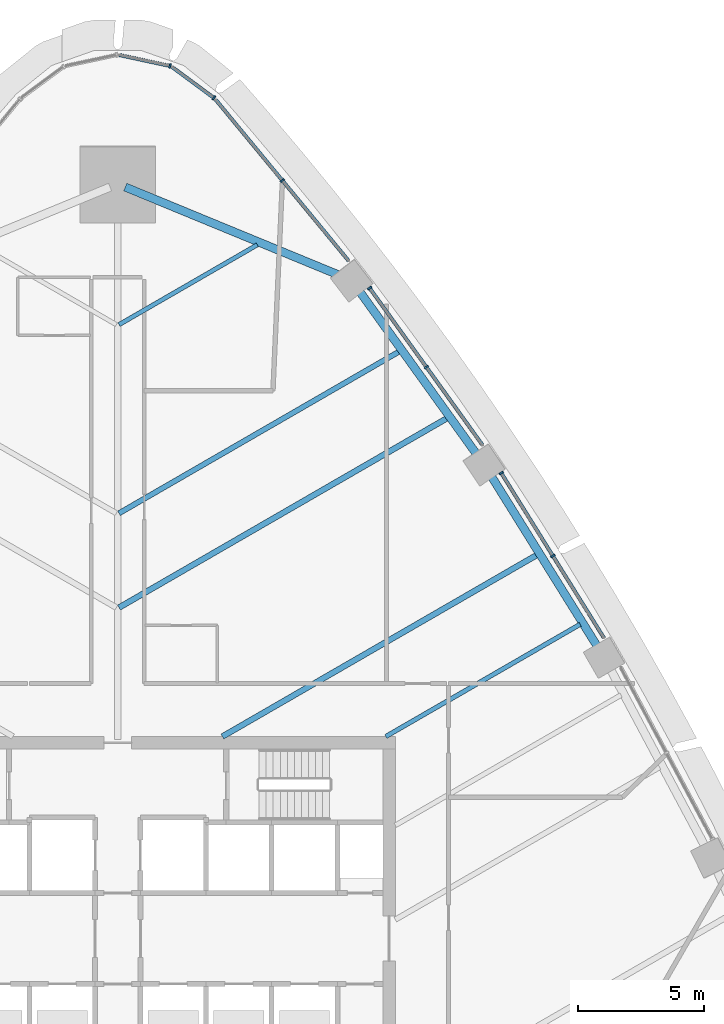
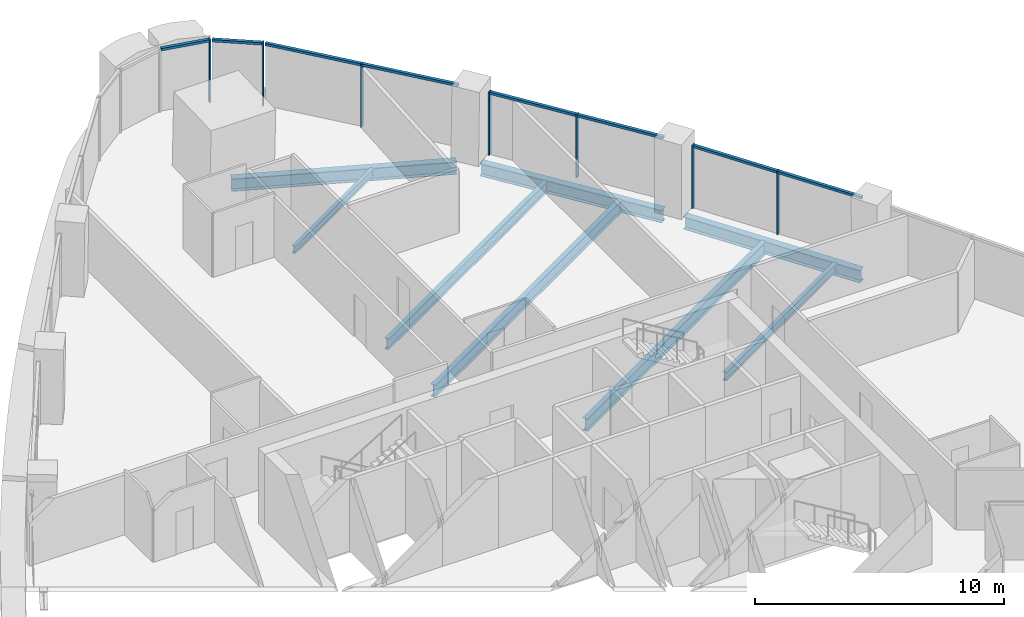
# One storey, part 7 of 17: 15 members, 8 beams, 5 elements without a shape of their own.
"""IFC4 building model written with IfcOpenShell, lengths in metres."""

from ifc_helpers import new_model, si_unit, direction, frame, origin, origin_2d, place, context, subcontext, project, spatial, rectangle, i_section, extrude, material, layer, layer_set, material_profile, profile_set, type_object, element, aggregate, save


model = new_model("IFC4")

# Units and contexts
model_context = context("Model", 3, precision=1e-05, world=origin(), true_north=direction((0.0, 1.0)))
body_context = subcontext(model_context, "Body", "Model", "MODEL_VIEW")
ifc_project = project(units=[si_unit("LENGTHUNIT", "METRE"), si_unit("AREAUNIT", "SQUARE_METRE"), si_unit("VOLUMEUNIT", "CUBIC_METRE"), si_unit("PLANEANGLEUNIT", "RADIAN"), si_unit("MASSUNIT", "GRAM", prefix="KILO")], contexts=[model_context])

# Site, building, storey
site_placement = place(None, origin())
site = spatial("IfcSite", under=ifc_project, at=site_placement, CompositionType="ELEMENT")
building_placement = place(site_placement, origin())
building = spatial("IfcBuilding", under=site, at=building_placement, Name="Sierra Prisma Convention Tower", CompositionType="ELEMENT")
storey_placement = place(building_placement, frame((0.0, 0.0, 92.39990234375)))
storey = spatial("IfcBuildingStorey", under=building, at=storey_placement, Name="L19", CompositionType="ELEMENT", Elevation=92.39990234375)

# Curtain wall, members
ifc_material_1 = material(Name="Aluminium and glass curtain wall", Category="aluminium")
ifc_layer = layer(ifc_material_1, 0.179931640625)
ifc_layer_set = layer_set([ifc_layer], Name="CW-1 Plain shaft curtain wall")
curtain_wall_type = type_object("IfcCurtainWallType", Name="CW-1 Plain shaft curtain wall", PredefinedType="NOTDEFINED", material=ifc_layer_set)
curtain_wall_1_placement = place(storey_placement, origin())
curtain_wall_1 = element("IfcCurtainWall", 1, at=curtain_wall_1_placement, inside=storey, type_object=curtain_wall_type, Name="CW-1 NE4 L19", PredefinedType="NOTDEFINED")
ifc_material_2 = material(Name="Aluminium 6063-T6 bronze anodised", Category="aluminium")
ifc_material_profile_1 = material_profile(ifc_material_2, rectangle(XDim=0.179931640625, YDim=0.070068359375, at=origin_2d()), Name="ALU MULLION 70x180")
ifc_profile_set_1 = profile_set([ifc_material_profile_1], Name="Aluminium 6063-T6 bronze anodised")
member_type_1 = type_object("IfcMemberType", Name="CW mullion bronze", PredefinedType="MULLION", material=ifc_profile_set_1)
member_1_placement = place(storey_placement, frame((17.239013671875, 15.153076171875, 0.0), z_axis=(0.0, 0.0, 1.0), x_axis=(-0.84893155366, -0.528502807183, 0.0)))
member_1 = element("IfcMember", 2, at=member_1_placement, type_object=member_type_1, Name="CW-1 mullion NE4.2", PredefinedType="MULLION", context=body_context, shape_type="SweptSolid", body=[
    extrude(rectangle(XDim=0.179931640625, YDim=0.070068359375, at=origin_2d()), origin(), (0.0, 0.0, 1.0), 3.10009765625),
])
member_2_placement = place(storey_placement, frame((15.193115234375, 18.439208984375, 0.0), z_axis=(0.0, 0.0, 1.0), x_axis=(-0.84893155366, -0.528502807183, 0.0)))
member_2 = element("IfcMember", 3, at=member_2_placement, type_object=member_type_1, Name="CW-1 mullion NE4.3", PredefinedType="MULLION", context=body_context, shape_type="SweptSolid", body=[
    extrude(rectangle(XDim=0.179931640625, YDim=0.070068359375, at=origin_2d()), origin(), (0.0, 0.0, 1.0), 3.10009765625),
])

curtain_wall_2_placement = place(storey_placement, origin())
curtain_wall_2 = element("IfcCurtainWall", 4, at=curtain_wall_2_placement, inside=storey, type_object=curtain_wall_type, Name="CW-1 NE5 L19", PredefinedType="NOTDEFINED")
member_3_placement = place(storey_placement, frame((12.229736328125, 22.63525390625, 0.0), z_axis=(0.0, 0.0, 1.0), x_axis=(-0.811950557118, -0.583726213902, 0.0)))
member_3 = element("IfcMember", 5, at=member_3_placement, type_object=member_type_1, Name="CW-1 mullion NE5.2", PredefinedType="MULLION", context=body_context, shape_type="SweptSolid", body=[
    extrude(rectangle(XDim=0.179931640625, YDim=0.070068359375, at=origin_2d()), origin(), (0.0, 0.0, 1.0), 3.10009765625),
])
member_4_placement = place(storey_placement, frame((9.97900390625, 25.765625, 0.0), z_axis=(0.0, 0.0, 1.0), x_axis=(-0.811950557118, -0.583726213902, 0.0)))
member_4 = element("IfcMember", 6, at=member_4_placement, type_object=member_type_1, Name="CW-1 mullion NE5.3", PredefinedType="MULLION", context=body_context, shape_type="SweptSolid", body=[
    extrude(rectangle(XDim=0.179931640625, YDim=0.070068359375, at=origin_2d()), origin(), (0.0, 0.0, 1.0), 3.10009765625),
])

# Curtain wall, member
curtain_wall_3_placement = place(storey_placement, origin())
curtain_wall_3 = element("IfcCurtainWall", 7, at=curtain_wall_3_placement, inside=storey, type_object=curtain_wall_type, Name="CW-1 NE6 L19", PredefinedType="NOTDEFINED")
member_5_placement = place(storey_placement, frame((6.520751953125, 30.028564453125, 0.0), z_axis=(0.0, 0.0, 1.0), x_axis=(-0.771382997346, -0.636371174241, 0.0)))
member_5 = element("IfcMember", 8, at=member_5_placement, type_object=member_type_1, Name="CW-1 mullion NE6.2", PredefinedType="MULLION", context=body_context, shape_type="SweptSolid", body=[
    extrude(rectangle(XDim=0.179931640625, YDim=0.070068359375, at=origin_2d()), origin(), (0.0, 0.0, 1.0), 3.10009765625),
])

curtain_wall_4_placement = place(storey_placement, origin())
curtain_wall_4 = element("IfcCurtainWall", 9, at=curtain_wall_4_placement, inside=storey, type_object=curtain_wall_type, Name="CW-1 N1 L19", PredefinedType="NOTDEFINED")
member_6_placement = place(storey_placement, frame((3.81201171875, 33.298828125, 0.0), z_axis=(0.0, 0.0, 1.0), x_axis=(-0.593846135826, -0.804578626963, 0.0)))
member_6 = element("IfcMember", 10, at=member_6_placement, type_object=member_type_1, Name="CW-1 mullion N1.1", PredefinedType="MULLION", context=body_context, shape_type="SweptSolid", body=[
    extrude(rectangle(XDim=0.179931640625, YDim=0.070068359375, at=origin_2d()), origin(), (0.0, 0.0, 1.0), 3.10009765625),
])

curtain_wall_5_placement = place(storey_placement, origin())
curtain_wall_5 = element("IfcCurtainWall", 11, at=curtain_wall_5_placement, inside=storey, type_object=curtain_wall_type, Name="CW-1 N2 L19", PredefinedType="NOTDEFINED")
member_7_placement = place(storey_placement, frame((2.072265625, 34.56494140625, 0.0), z_axis=(0.0, 0.0, 1.0), x_axis=(-0.210360394745, -0.977623907401, 0.0)))
member_7 = element("IfcMember", 12, at=member_7_placement, type_object=member_type_1, Name="CW-1 mullion N2.1", PredefinedType="MULLION", context=body_context, shape_type="SweptSolid", body=[
    extrude(rectangle(XDim=0.179931640625, YDim=0.070068359375, at=origin_2d()), origin(), (0.0, 0.0, 1.0), 3.10009765625),
])

# Member
ifc_material_3 = material(Name="Aluminium 6063-T6 bronze anodised", Category="aluminium")
ifc_material_profile_2 = material_profile(ifc_material_3, rectangle(XDim=0.139892578125, YDim=0.1201171875, at=origin_2d()), Name="ALU TRANSOM 120x140")
ifc_profile_set_2 = profile_set([ifc_material_profile_2], Name="Aluminium 6063-T6 bronze anodised")
member_type_2 = type_object("IfcMemberType", Name="CW transom bronze", PredefinedType="USERDEFINED", material=ifc_profile_set_2)
member_8_placement = place(storey_placement, frame((19.266357421875, 11.896728515625, 3.0400390625), z_axis=(-0.528520023664, 0.848920835288, 0.0), x_axis=(-0.848920835288, -0.528520023664, 0.0)))
member_8 = element("IfcMember", 13, at=member_8_placement, type_object=member_type_2, Name="CW-1 transom NE4.1", ObjectType="TRANSOM", PredefinedType="USERDEFINED", context=body_context, shape_type="SweptSolid", body=[
    extrude(rectangle(XDim=0.139892578125, YDim=0.1201171875, at=origin_2d()), origin(), (0.0, 0.0, 1.0), 3.80078125),
])

member_9_placement = place(storey_placement, frame((17.220458984375, 15.182861328125, 3.0400390625), z_axis=(-0.52849120481, 0.848938776614, 0.0), x_axis=(-0.848938776614, -0.52849120481, 0.0)))
member_9 = element("IfcMember", 14, at=member_9_placement, type_object=member_type_2, Name="CW-1 transom NE4.2", ObjectType="TRANSOM", PredefinedType="USERDEFINED", context=body_context, shape_type="SweptSolid", body=[
    extrude(rectangle(XDim=0.139892578125, YDim=0.1201171875, at=origin_2d()), origin(), (0.0, 0.0, 1.0), 3.801025390625),
])

aggregate(curtain_wall_1, [member_1, member_2, member_8, member_9])

member_10_placement = place(storey_placement, frame((14.459716796875, 19.533203125, 3.0400390625), z_axis=(-0.583749003117, 0.811934173046, 0.0), x_axis=(-0.811934173046, -0.583749003117, 0.0)))
member_10 = element("IfcMember", 15, at=member_10_placement, type_object=member_type_2, Name="CW-1 transom NE5.1", ObjectType="TRANSOM", PredefinedType="USERDEFINED", context=body_context, shape_type="SweptSolid", body=[
    extrude(rectangle(XDim=0.139892578125, YDim=0.1201171875, at=origin_2d()), origin(), (0.0, 0.0, 1.0), 3.785400390625),
])

member_11_placement = place(storey_placement, frame((12.209228515625, 22.66357421875, 3.0400390625), z_axis=(-0.583718435633, 0.811956149002, 0.0), x_axis=(-0.811956149002, -0.583718435633, 0.0)))
member_11 = element("IfcMember", 16, at=member_11_placement, type_object=member_type_2, Name="CW-1 transom NE5.2", ObjectType="TRANSOM", PredefinedType="USERDEFINED", context=body_context, shape_type="SweptSolid", body=[
    extrude(rectangle(XDim=0.139892578125, YDim=0.1201171875, at=origin_2d()), origin(), (0.0, 0.0, 1.0), 3.78564453125),
])

aggregate(curtain_wall_2, [member_3, member_4, member_10, member_11])

member_12_placement = place(storey_placement, frame((9.15673828125, 26.83349609375, 3.0400390625), z_axis=(-0.636382070576, 0.77137400802, 0.0), x_axis=(-0.77137400802, -0.636382070576, 0.0)))
member_12 = element("IfcMember", 17, at=member_12_placement, type_object=member_type_2, Name="CW-1 transom NE6.1", ObjectType="TRANSOM", PredefinedType="USERDEFINED", context=body_context, shape_type="SweptSolid", body=[
    extrude(rectangle(XDim=0.139892578125, YDim=0.1201171875, at=origin_2d()), origin(), (0.0, 0.0, 1.0), 4.107177734375),
])

member_13_placement = place(storey_placement, frame((6.498291015625, 30.0556640625, 3.0400390625), z_axis=(-0.636382070576, 0.77137400802, 0.0), x_axis=(-0.77137400802, -0.636382070576, 0.0)))
member_13 = element("IfcMember", 18, at=member_13_placement, type_object=member_type_2, Name="CW-1 transom NE6.2", ObjectType="TRANSOM", PredefinedType="USERDEFINED", context=body_context, shape_type="SweptSolid", body=[
    extrude(rectangle(XDim=0.139892578125, YDim=0.1201171875, at=origin_2d()), origin(), (0.0, 0.0, 1.0), 4.107177734375),
])

aggregate(curtain_wall_3, [member_5, member_12, member_13])

member_14_placement = place(storey_placement, frame((3.78369140625, 33.319580078125, 3.0400390625), z_axis=(-0.804586487581, 0.593835485637, 0.0), x_axis=(-0.593835485637, -0.804586487581, 0.0)))
member_14 = element("IfcMember", 19, at=member_14_placement, type_object=member_type_2, Name="CW-1 transom N1.1", ObjectType="TRANSOM", PredefinedType="USERDEFINED", context=body_context, shape_type="SweptSolid", body=[
    extrude(rectangle(XDim=0.139892578125, YDim=0.1201171875, at=origin_2d()), origin(), (0.0, 0.0, 1.0), 2.014404296875),
])

aggregate(curtain_wall_4, [member_6, member_14])

member_15_placement = place(storey_placement, frame((2.0380859375, 34.572265625, 3.0400390625), z_axis=(-0.977624737389, 0.210356537445, 0.0), x_axis=(-0.210356537445, -0.977624737389, 0.0)))
member_15 = element("IfcMember", 20, at=member_15_placement, type_object=member_type_2, Name="CW-1 transom N2.1", ObjectType="TRANSOM", PredefinedType="USERDEFINED", context=body_context, shape_type="SweptSolid", body=[
    extrude(rectangle(XDim=0.139892578125, YDim=0.1201171875, at=origin_2d()), origin(), (0.0, 0.0, 1.0), 2.014892578125),
])

aggregate(curtain_wall_5, [member_7, member_15])

# Beams
ifc_material_4 = material(Name="Steel ASTM A992 Gr 50", Category="steel")
ifc_material_profile_3 = material_profile(ifc_material_4, i_section(OverallWidth=0.172119140625, OverallDepth=0.35791015625, WebThickness=0.0078125, FlangeThickness=0.01318359375, at=origin_2d()), Name="W360x57")
ifc_profile_set_3 = profile_set([ifc_material_profile_3], Name="Steel ASTM A992 Gr 50")
beam_type_1 = type_object("IfcBeamType", Name="Floor joist W360x57", PredefinedType="JOIST", material=ifc_profile_set_3)
beam_1_placement = place(storey_placement, frame((5.53076171875, 27.478271484375, -0.328857421875), z_axis=(-0.866025537322, -0.499999768706, 0.0), x_axis=(0.499999768706, -0.866025537322, 0.0)))
element("IfcBeam", 21, at=beam_1_placement, inside=storey, type_object=beam_type_1, Name="Floor joist L19 NE15", PredefinedType="JOIST", context=body_context, shape_type="SweptSolid", body=[
    extrude(i_section(OverallWidth=0.172119140625, OverallDepth=0.35791015625, WebThickness=0.0078125, FlangeThickness=0.01318359375, at=origin_2d()), origin(), (0.0, 0.0, 1.0), 6.3251953125),
])
ifc_material_5 = material(Name="Steel ASTM A992 Gr 50", Category="steel")
ifc_material_profile_4 = material_profile(ifc_material_5, i_section(OverallWidth=0.177978515625, OverallDepth=0.406982421875, WebThickness=0.0078125, FlangeThickness=0.0126953125, at=origin_2d()), Name="W410x60")
ifc_profile_set_4 = profile_set([ifc_material_profile_4], Name="Steel ASTM A992 Gr 50")
beam_type_2 = type_object("IfcBeamType", Name="Floor joist W410x60", PredefinedType="JOIST", material=ifc_profile_set_4)
beam_2_placement = place(storey_placement, frame((18.321044921875, 12.44580078125, -0.353515625), z_axis=(-0.866020974757, -0.500007671222, 0.0), x_axis=(0.500007671222, -0.866020974757, 0.0)))
element("IfcBeam", 22, at=beam_2_placement, inside=storey, type_object=beam_type_2, Name="Floor joist L19 NE09", PredefinedType="JOIST", context=body_context, shape_type="SweptSolid", body=[
    extrude(i_section(OverallWidth=0.177978515625, OverallDepth=0.406982421875, WebThickness=0.0078125, FlangeThickness=0.0126953125, at=origin_2d()), origin(), (0.0, 0.0, 1.0), 8.891357421875),
])
ifc_material_6 = material(Name="Steel ASTM A992 Gr 50", Category="steel")
ifc_material_profile_5 = material_profile(ifc_material_6, i_section(OverallWidth=0.208984375, OverallDepth=0.532958984375, WebThickness=0.01025390625, FlangeThickness=0.015625, at=origin_2d()), Name="W530x92")
ifc_profile_set_5 = profile_set([ifc_material_profile_5], Name="Steel ASTM A992 Gr 50")
beam_type_3 = type_object("IfcBeamType", Name="Floor joist W530x92", PredefinedType="JOIST", material=ifc_profile_set_5)
beam_3_placement = place(storey_placement, frame((11.154541015625, 23.252685546875, -0.41650390625), z_axis=(-0.866027642307, -0.499996122745, 0.0), x_axis=(0.499996122745, -0.866027642307, 0.0)))
element("IfcBeam", 23, at=beam_3_placement, inside=storey, type_object=beam_type_3, Name="Floor joist L19 NE13", PredefinedType="JOIST", context=body_context, shape_type="SweptSolid", body=[
    extrude(i_section(OverallWidth=0.208984375, OverallDepth=0.532958984375, WebThickness=0.01025390625, FlangeThickness=0.015625, at=origin_2d()), origin(), (0.0, 0.0, 1.0), 12.81884765625),
])
ifc_material_7 = material(Name="Steel ASTM A992 Gr 50", Category="steel")
ifc_material_profile_6 = material_profile(ifc_material_7, i_section(OverallWidth=0.22802734375, OverallDepth=0.60302734375, WebThickness=0.010498046875, FlangeThickness=0.014892578125, at=origin_2d()), Name="W610x101")
ifc_profile_set_6 = profile_set([ifc_material_profile_6], Name="Steel ASTM A992 Gr 50")
beam_type_4 = type_object("IfcBeamType", Name="Floor joist W610x101", PredefinedType="JOIST", material=ifc_profile_set_6)
beam_4_placement = place(storey_placement, frame((16.610107421875, 15.194091796875, -0.451416015625), z_axis=(-0.866023956618, -0.500002506557, 0.0), x_axis=(0.500002506557, -0.866023956618, 0.0)))
element("IfcBeam", 24, at=beam_4_placement, inside=storey, type_object=beam_type_4, Name="Floor joist L19 NE10", PredefinedType="JOIST", context=body_context, shape_type="SweptSolid", body=[
    extrude(i_section(OverallWidth=0.22802734375, OverallDepth=0.60302734375, WebThickness=0.010498046875, FlangeThickness=0.014892578125, at=origin_2d()), origin(), (0.0, 0.0, 1.0), 14.38818359375),
])
beam_5_placement = place(storey_placement, frame((13.052490234375, 20.612548828125, -0.451416015625), z_axis=(-0.866022533376, -0.500004971661, 0.0), x_axis=(0.500004971661, -0.866022533376, 0.0)))
element("IfcBeam", 25, at=beam_5_placement, inside=storey, type_object=beam_type_4, Name="Floor joist L19 NE12", PredefinedType="JOIST", context=body_context, shape_type="SweptSolid", body=[
    extrude(i_section(OverallWidth=0.22802734375, OverallDepth=0.60302734375, WebThickness=0.010498046875, FlangeThickness=0.014892578125, at=origin_2d()), origin(), (0.0, 0.0, 1.0), 15.010498046875),
])
ifc_material_8 = material(Name="Steel ASTM A992 Gr 50", Category="steel")
ifc_material_profile_7 = material_profile(ifc_material_8, i_section(OverallWidth=0.324951171875, OverallDepth=0.615966796875, WebThickness=0.013916015625, FlangeThickness=0.021484375, at=origin_2d()), Name="W610x174")
ifc_profile_set_7 = profile_set([ifc_material_profile_7], Name="Steel ASTM A992 Gr 50")
beam_type_5 = type_object("IfcBeamType", Name="Spandrel beam W610x174", PredefinedType="BEAM", material=ifc_profile_set_7)
for number, where, z_axis, x_axis, name in (
    (26, (19.020263671875, 11.53564453125, -0.4580078125), (-0.528515498345, 0.848923652638, 0.0), (-0.848923652638, -0.528515498345, 0.0), "Spandrel L19-10"),
    (27, (14.23828125, 19.156494140625, -0.4580078125), (-0.583732433041, 0.811946086028, 0.0), (-0.811946086028, -0.583732433041, 0.0), "Spandrel L19-11"),
):
    element("IfcBeam", number, at=place(storey_placement, frame(where, z_axis=z_axis, x_axis=x_axis)), inside=storey, type_object=beam_type_5, Name=name, PredefinedType="BEAM", context=body_context, shape_type="SweptSolid", body=[
        extrude(i_section(OverallWidth=0.324951171875, OverallDepth=0.615966796875, WebThickness=0.013916015625, FlangeThickness=0.021484375, at=origin_2d()), origin(), (0.0, 0.0, 1.0), 8.037353515625),
    ])
beam_6_placement = place(storey_placement, frame((8.736572265625, 26.29052734375, -0.4580078125), z_axis=(-0.924621011385, 0.38088841582, 0.0), x_axis=(-0.38088841582, -0.924621011385, 0.0)))
element("IfcBeam", 28, at=beam_6_placement, inside=storey, type_object=beam_type_5, Name="Spandrel L19-12", PredefinedType="BEAM", context=body_context, shape_type="SweptSolid", body=[
    extrude(i_section(OverallWidth=0.324951171875, OverallDepth=0.615966796875, WebThickness=0.013916015625, FlangeThickness=0.021484375, at=origin_2d()), origin(), (0.0, 0.0, 1.0), 9.124267578125),
])

save(model, "model.ifc")
